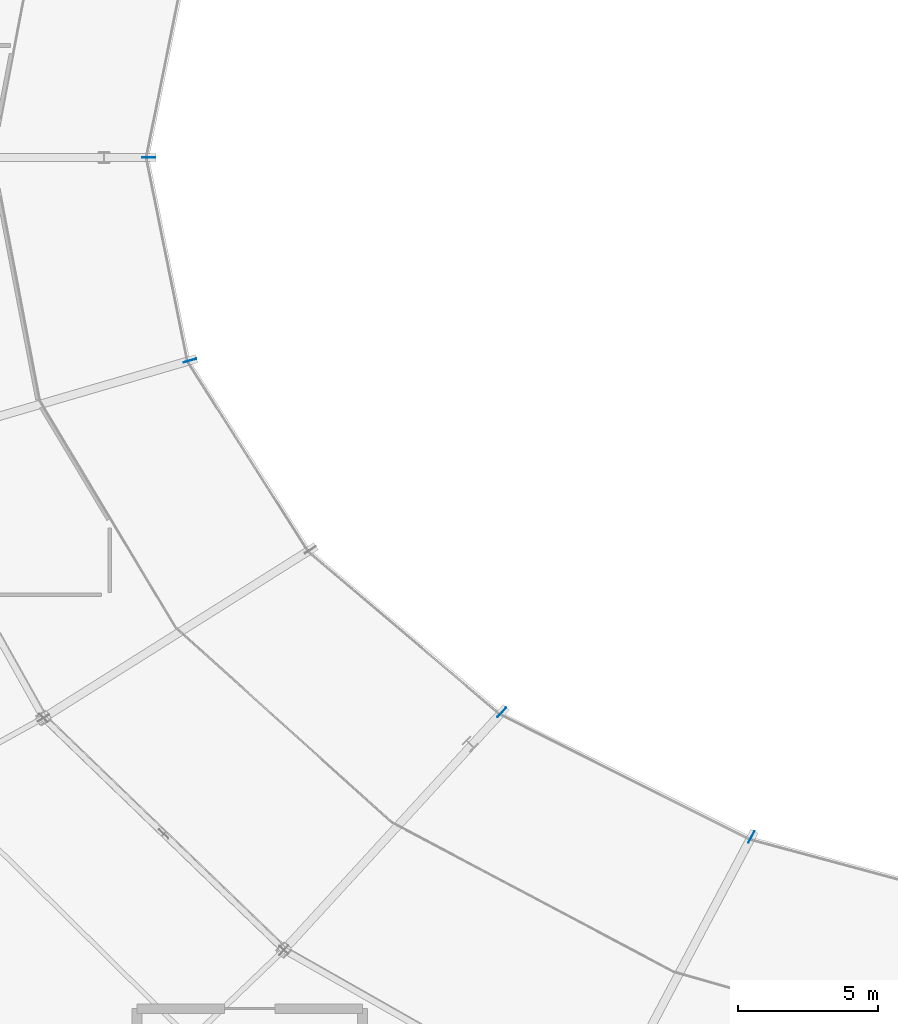
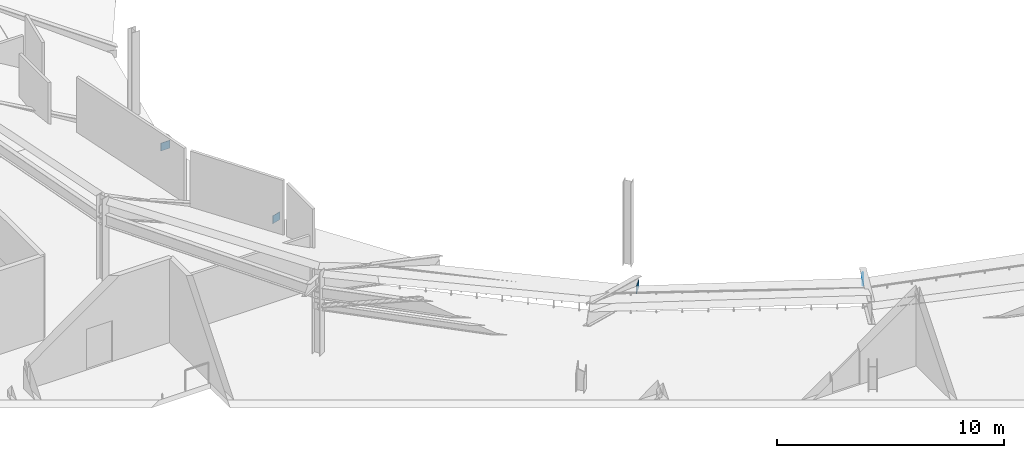
# One storey, part 20 of 63: 4 plates.
"""IFC4 building model written with IfcOpenShell, lengths in metres."""

from ifc_helpers import new_model, si_unit, direction, frame, origin, origin_2d, place, context, subcontext, project, spatial, rectangle, extrude, material, layer, layer_set, type_object, element, save


model = new_model("IFC4")

# Units and contexts
model_context = context("Model", 3, precision=1e-05, world=origin(), true_north=direction((0.0, 1.0)))
body_context = subcontext(model_context, "Body", "Model", "MODEL_VIEW")
ifc_project = project(units=[si_unit("LENGTHUNIT", "METRE"), si_unit("AREAUNIT", "SQUARE_METRE"), si_unit("VOLUMEUNIT", "CUBIC_METRE"), si_unit("PLANEANGLEUNIT", "RADIAN"), si_unit("MASSUNIT", "GRAM", prefix="KILO")], contexts=[model_context])

# Site, building, storey
site_placement = place(None, origin())
site = spatial("IfcSite", under=ifc_project, at=site_placement, CompositionType="ELEMENT")
building_placement = place(site_placement, origin())
building = spatial("IfcBuilding", under=site, at=building_placement, Name="Kalgoora Escarpment Arena", CompositionType="ELEMENT")
storey_placement = place(building_placement, frame((0.0, 0.0, 14.39990234375)))
storey = spatial("IfcBuildingStorey", under=building, at=storey_placement, Name="L03", CompositionType="ELEMENT", Elevation=14.39990234375)

# Plates
ifc_material = material(Name="Structural steel Grade 350 (350 MPa)", Category="steel")
ifc_layer = layer(ifc_material, 0.02490234375)
ifc_layer_set = layer_set([ifc_layer], Name="PLT-GUSSET-25")
plate_type = type_object("IfcPlateType", Name="PLT-GUSSET-25", PredefinedType="USERDEFINED", material=ifc_layer_set)
for number, where, z_axis, x_axis, name in (
    (1, (49.39990234375, 64.0, -2.509765625), (0.0, 0.0, 1.0), (-1.0, 0.0, 0.0), "Upper bowl raker inner end plate R13"),
    (2, (50.865234375, 56.753173828125, -2.509765625), (0.0, 0.0, 1.0), (-0.959854262938, -0.280499187022, 0.0), "Upper bowl raker inner end plate R14"),
    (3, (61.994384765625, 44.200927734375, -2.509765625), (0.0, 0.0, 1.0), (-0.675718876495, -0.737159412846, 0.0), "Upper bowl raker inner end plate R16"),
    (4, (70.89990234375, 39.751220703125, -2.509765625), (0.0, 0.0, 1.0), (-0.467775560934, -0.883847285787, 0.0), "Upper bowl raker inner end plate R17"),
):
    element("IfcPlate", number, at=place(storey_placement, frame(where, z_axis=z_axis, x_axis=x_axis)), inside=storey, type_object=plate_type, Name=name, ObjectType="FLANGE PLATE", PredefinedType="USERDEFINED", context=body_context, shape_type="SweptSolid", body=[
        extrude(rectangle(XDim=0.4599609375, YDim=0.02490234375, at=origin_2d()), origin(), (0.0, 0.0, 1.0), 0.419921875),
    ])

save(model, "model.ifc")
